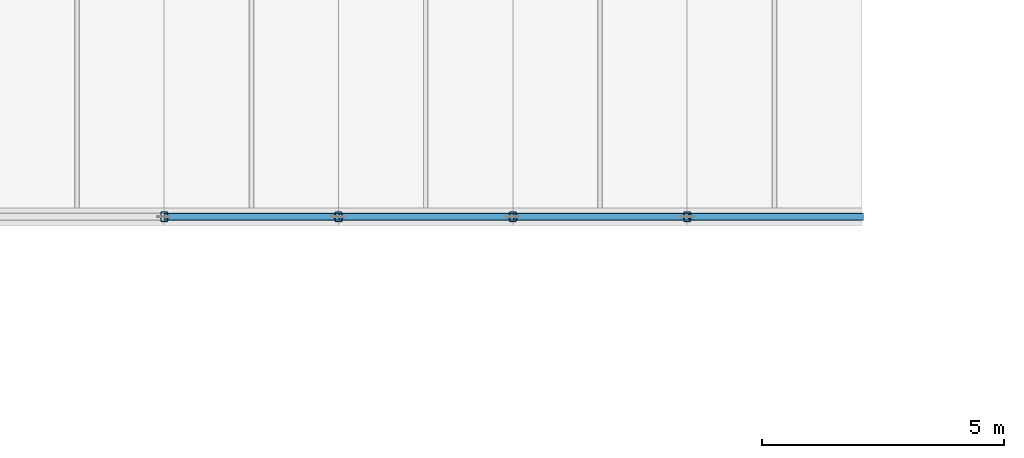
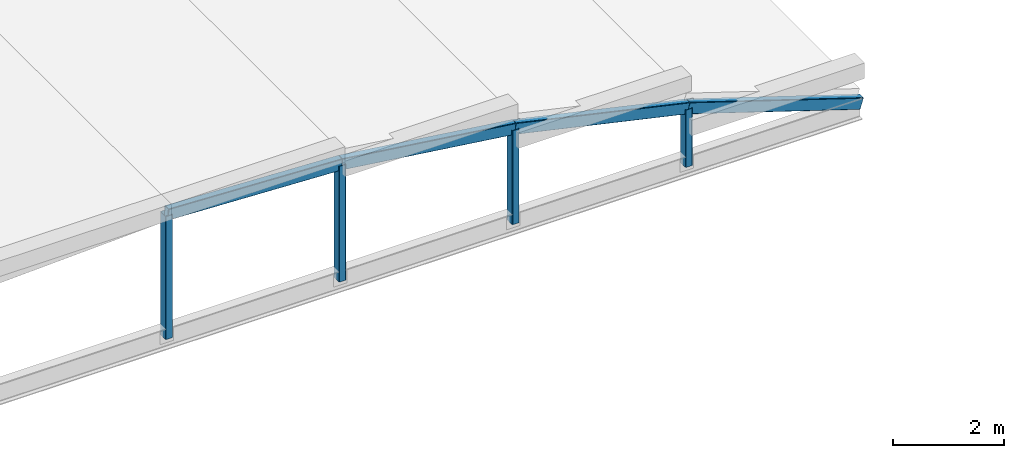
# One storey, part 8 of 70: 8 members.
"""IFC4 building model written with IfcOpenShell, lengths in metres."""

from ifc_helpers import new_model, si_unit, direction, frame, origin, origin_2d, place, context, subcontext, project, spatial, hollow_rectangle, extrude, material, material_profile, profile_set, type_object, element, save


model = new_model("IFC4")

# Units and contexts
model_context = context("Model", 3, precision=1e-05, world=origin(), true_north=direction((0.0, 1.0)))
body_context = subcontext(model_context, "Body", "Model", "MODEL_VIEW")
ifc_project = project(units=[si_unit("LENGTHUNIT", "METRE"), si_unit("AREAUNIT", "SQUARE_METRE"), si_unit("VOLUMEUNIT", "CUBIC_METRE"), si_unit("PLANEANGLEUNIT", "RADIAN"), si_unit("MASSUNIT", "GRAM", prefix="KILO")], contexts=[model_context])

# Site, building, storey
site_placement = place(None, origin())
site = spatial("IfcSite", under=ifc_project, at=site_placement, CompositionType="ELEMENT")
building_placement = place(site_placement, origin())
building = spatial("IfcBuilding", under=site, at=building_placement, Name="Mavantir Sound Aquarium", CompositionType="ELEMENT")
storey_placement = place(building_placement, frame((0.0, 0.0, 27.0)))
storey = spatial("IfcBuildingStorey", under=building, at=storey_placement, Name="RF", CompositionType="ELEMENT", Elevation=27.0)

# Members
ifc_material = material(Name="Hollow Structural Steel ASTM A500 GrC", Category="steel")
ifc_material_profile_1 = material_profile(ifc_material, hollow_rectangle(XDim=0.14990234375, YDim=0.25, WallThickness=0.010009765625, InnerFilletRadius=0.010009765625, OuterFilletRadius=0.02001953125, at=origin_2d()), Name="RHS 250X150X10")
ifc_profile_set_1 = profile_set([ifc_material_profile_1], Name="Hollow Structural Steel ASTM A500 GrC")
member_type_1 = type_object("IfcMemberType", Name="MEM-AR-RHS250", PredefinedType="CHORD", material=ifc_profile_set_1)
member_1_placement = place(storey_placement, frame((81.60009765625, 14.39990234375, -14.030029296875), z_axis=(0.999041657314, 0.0, -0.043769475119), x_axis=(0.0, 1.0, 0.0)))
element("IfcMember", 1, at=member_1_placement, inside=storey, type_object=member_type_1, Name="V7 entry vault arch rib 57", PredefinedType="CHORD", context=body_context, shape_type="SweptSolid", body=[
    extrude(hollow_rectangle(XDim=0.14990234375, YDim=0.25, WallThickness=0.010009765625, InnerFilletRadius=0.010009765625, OuterFilletRadius=0.02001953125, at=origin_2d()), origin(), (0.0, 0.0, 1.0), 3.603271484375),
])
member_2_placement = place(storey_placement, frame((85.199951171875, 14.39990234375, -14.187744140625), z_axis=(0.991351936589, 0.0, -0.131230094956), x_axis=(0.0, 1.0, 0.0)))
element("IfcMember", 2, at=member_2_placement, inside=storey, type_object=member_type_1, Name="V7 entry vault arch rib 59", PredefinedType="CHORD", context=body_context, shape_type="SweptSolid", body=[
    extrude(hollow_rectangle(XDim=0.14990234375, YDim=0.25, WallThickness=0.010009765625, InnerFilletRadius=0.010009765625, OuterFilletRadius=0.02001953125, at=origin_2d()), origin(), (0.0, 0.0, 1.0), 3.631591796875),
])
member_3_placement = place(storey_placement, frame((88.800048828125, 14.39990234375, -14.664306640625), z_axis=(0.975760104728, 0.0, -0.218842907178), x_axis=(0.0, 1.0, 0.0)))
element("IfcMember", 3, at=member_3_placement, inside=storey, type_object=member_type_1, Name="V7 entry vault arch rib 61", PredefinedType="CHORD", context=body_context, shape_type="SweptSolid", body=[
    extrude(hollow_rectangle(XDim=0.14990234375, YDim=0.25, WallThickness=0.010009765625, InnerFilletRadius=0.010009765625, OuterFilletRadius=0.02001953125, at=origin_2d()), origin(), (0.0, 0.0, 1.0), 3.689208984375),
])
member_4_placement = place(storey_placement, frame((92.39990234375, 14.39990234375, -15.4716796875), z_axis=(0.951949270462, 0.0, -0.306255753362), x_axis=(0.0, 1.0, 0.0)))
element("IfcMember", 4, at=member_4_placement, inside=storey, type_object=member_type_1, Name="V7 entry vault arch rib 63", PredefinedType="CHORD", context=body_context, shape_type="SweptSolid", body=[
    extrude(hollow_rectangle(XDim=0.14990234375, YDim=0.25, WallThickness=0.010009765625, InnerFilletRadius=0.010009765625, OuterFilletRadius=0.02001953125, at=origin_2d()), origin(), (0.0, 0.0, 1.0), 3.78173828125),
])
ifc_material_profile_2 = material_profile(ifc_material, hollow_rectangle(XDim=0.14990234375, YDim=0.199951171875, WallThickness=0.010009765625, InnerFilletRadius=0.010009765625, OuterFilletRadius=0.02001953125, at=origin_2d()), Name="RHS 200X150X10")
ifc_profile_set_2 = profile_set([ifc_material_profile_2], Name="Hollow Structural Steel ASTM A500 GrC")
member_type_2 = type_object("IfcMemberType", Name="MEM-BR-RHS200", PredefinedType="BRACE", material=ifc_profile_set_2)
member_5_placement = place(storey_placement, frame((81.60009765625, 14.39990234375, -16.72998046875), z_axis=(0.0, 0.0, 1.0), x_axis=(1.0, 0.0, 0.0)))
element("IfcMember", 5, at=member_5_placement, inside=storey, type_object=member_type_2, Name="Steel truss web brace 58", PredefinedType="BRACE", context=body_context, shape_type="SweptSolid", body=[
    extrude(hollow_rectangle(XDim=0.14990234375, YDim=0.199951171875, WallThickness=0.010009765625, InnerFilletRadius=0.010009765625, OuterFilletRadius=0.02001953125, at=origin_2d()), origin(), (0.0, 0.0, 1.0), 2.699951171875),
])
member_6_placement = place(storey_placement, frame((85.199951171875, 14.39990234375, -16.72998046875), z_axis=(0.0, 0.0, 1.0), x_axis=(1.0, 0.0, 0.0)))
element("IfcMember", 6, at=member_6_placement, inside=storey, type_object=member_type_2, Name="Steel truss web brace 60", PredefinedType="BRACE", context=body_context, shape_type="SweptSolid", body=[
    extrude(hollow_rectangle(XDim=0.14990234375, YDim=0.199951171875, WallThickness=0.010009765625, InnerFilletRadius=0.010009765625, OuterFilletRadius=0.02001953125, at=origin_2d()), origin(), (0.0, 0.0, 1.0), 2.542236328125),
])
member_7_placement = place(storey_placement, frame((88.800048828125, 14.39990234375, -16.72998046875), z_axis=(0.0, 0.0, 1.0), x_axis=(1.0, 0.0, 0.0)))
element("IfcMember", 7, at=member_7_placement, inside=storey, type_object=member_type_2, Name="Steel truss web brace 62", PredefinedType="BRACE", context=body_context, shape_type="SweptSolid", body=[
    extrude(hollow_rectangle(XDim=0.14990234375, YDim=0.199951171875, WallThickness=0.010009765625, InnerFilletRadius=0.010009765625, OuterFilletRadius=0.02001953125, at=origin_2d()), origin(), (0.0, 0.0, 1.0), 2.065673828125),
])
member_8_placement = place(storey_placement, frame((92.39990234375, 14.39990234375, -16.72998046875), z_axis=(0.0, 0.0, 1.0), x_axis=(1.0, 0.0, 0.0)))
element("IfcMember", 8, at=member_8_placement, inside=storey, type_object=member_type_2, Name="Steel truss web brace 64", PredefinedType="BRACE", context=body_context, shape_type="SweptSolid", body=[
    extrude(hollow_rectangle(XDim=0.14990234375, YDim=0.199951171875, WallThickness=0.010009765625, InnerFilletRadius=0.010009765625, OuterFilletRadius=0.02001953125, at=origin_2d()), origin(), (0.0, 0.0, 1.0), 1.25830078125),
])

save(model, "model.ifc")
